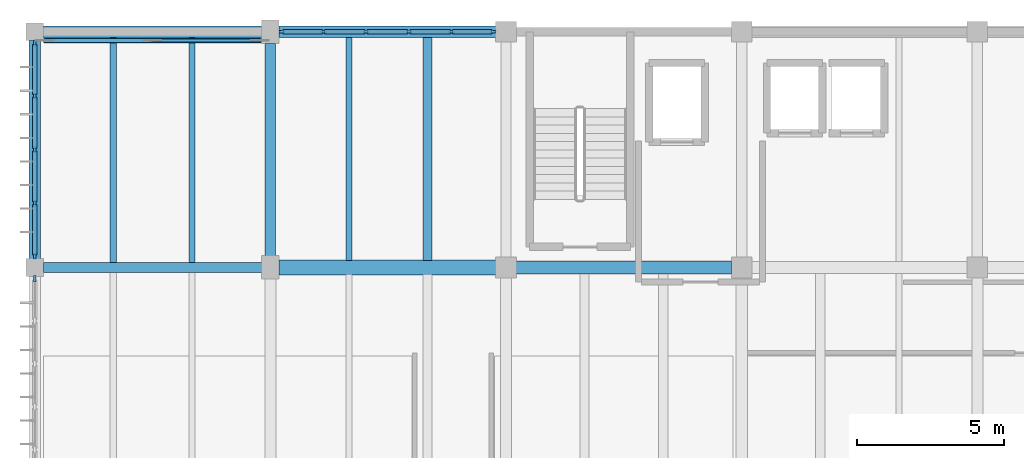
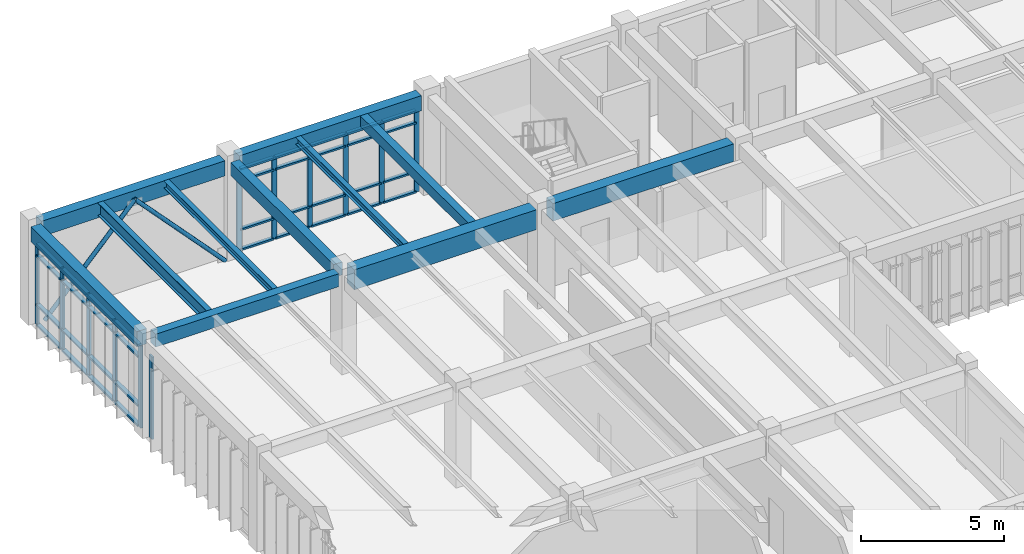
# One storey, part 23 of 72: 50 members, 11 beams, 3 elements without a shape of their own.
"""IFC4 building model written with IfcOpenShell, lengths in metres."""

import ifcopenshell
import ifcopenshell.guid

model = None  # the IFC model being written
_history = None  # IfcOwnerHistory: only IFC2X3 demands one
_inside = {}  # id of a spatial element -> (the spatial element, [elements in it])
_under = {}  # id of a project, library or spatial element -> (it, [spatial elements below it])
_declared = {}  # id of a project -> (the project, [libraries it declares])
_typed = {}  # id of a type object -> (the type object, [elements of that type])
_made_of = {}  # id of a material, layer set ... -> (it, [elements and type objects made of it])


def new_model(schema):
    """Start an empty IFC model of exactly this schema.

    Asked for "IFC4X3", IfcOpenShell would pick the latest addendum, in which some entities
    have other attributes; the version numbers below select the first issue.
    IFC2X3 requires an IfcOwnerHistory on every rooted entity: one is made here for all.
    """
    global model, _history
    if schema == "IFC4X3":
        model = ifcopenshell.file(schema_version=(4, 3, 0, 0))
    else:
        model = ifcopenshell.file(schema=schema)
    _inside.clear()
    _under.clear()
    _declared.clear()
    _typed.clear()
    _made_of.clear()
    _history = None
    if model.schema == "IFC2X3":
        org = make("IfcOrganization", Name="unknown")
        user = make(
            "IfcPersonAndOrganization",
            ThePerson=make("IfcPerson", FamilyName="unknown"),
            TheOrganization=org,
        )
        app = make(
            "IfcApplication",
            ApplicationDeveloper=org,
            Version="unknown",
            ApplicationFullName="unknown",
            ApplicationIdentifier="unknown",
        )
        _history = make(
            "IfcOwnerHistory",
            OwningUser=user,
            OwningApplication=app,
            ChangeAction="ADDED",
            CreationDate=0,
        )
    return model


def make(cls, **values):
    """One entity of the class cls with the attributes given. An attribute that is None is left unset."""
    return model.create_entity(
        cls, **{name: value for name, value in values.items() if value is not None}
    )


def rooted(cls, **values):
    """An entity with a GlobalId (a new one), such as an element, a storey or a relation."""
    return make(cls, GlobalId=ifcopenshell.guid.new(), OwnerHistory=_history, **values)


def si_unit(unit_type, name, prefix=None):
    """IfcSIUnit, for example si_unit("LENGTHUNIT", "METRE", prefix="MILLI")."""
    return make("IfcSIUnit", UnitType=unit_type, Prefix=prefix, Name=name)


def assignment(units):
    """IfcUnitAssignment: the units of a project."""
    return None if units is None else make("IfcUnitAssignment", Units=units)


def point(xyz):
    """IfcCartesianPoint."""
    return None if xyz is None else make("IfcCartesianPoint", Coordinates=xyz)


def direction(xyz):
    """IfcDirection."""
    return None if xyz is None else make("IfcDirection", DirectionRatios=xyz)


def frame(location, z_axis=None, x_axis=None):
    """IfcAxis2Placement3D, a coordinate frame: its origin and axes. An axis left out is left unset."""
    return make(
        "IfcAxis2Placement3D",
        Location=point(location),
        Axis=direction(z_axis),
        RefDirection=direction(x_axis),
    )


def frame_2d(location, x_axis=None):
    """IfcAxis2Placement2D, a coordinate frame in the plane: its origin and x axis."""
    return make(
        "IfcAxis2Placement2D", Location=point(location), RefDirection=direction(x_axis)
    )


def origin():
    """The frame at (0, 0, 0) with its axes left unset."""
    return frame((0.0, 0.0, 0.0))


def origin_2d():
    """The frame at (0, 0) in the plane with its x axis left unset."""
    return frame_2d((0.0, 0.0))


def place(relative_to, where):
    """IfcLocalPlacement: puts the frame where relative to a parent placement (None: the world)."""
    return make(
        "IfcLocalPlacement", PlacementRelTo=relative_to, RelativePlacement=where
    )


def context(
    kind, dimensions, precision=None, world=None, true_north=None, identifier=None
):
    """IfcGeometricRepresentationContext, for example the 3D "Model" context."""
    return make(
        "IfcGeometricRepresentationContext",
        ContextIdentifier=identifier,
        ContextType=kind,
        CoordinateSpaceDimension=dimensions,
        Precision=precision,
        WorldCoordinateSystem=world,
        TrueNorth=true_north,
    )


def subcontext(parent, identifier, kind, view, scale=None):
    """IfcGeometricRepresentationSubContext, for example "Body" below "Model"."""
    return make(
        "IfcGeometricRepresentationSubContext",
        ContextIdentifier=identifier,
        ContextType=kind,
        ParentContext=parent,
        TargetScale=scale,
        TargetView=view,
    )


def project(units=None, contexts=None):
    """IfcProject with its units and contexts."""
    return rooted(
        "IfcProject",
        Name="project",
        RepresentationContexts=contexts,
        UnitsInContext=assignment(units),
    )


def spatial(cls, under=None, at=None, **own):
    """A site, building, storey or space (cls), placed at a placement, below another one or the project."""
    s = rooted(cls, ObjectPlacement=at, **own)
    if under is not None:
        _under.setdefault(under.id(), (under, []))[1].append(s)
    return s


def profile(cls, at=None, kind="AREA", **sizes):
    """A parametric profile (cls). Its sizes go by their IFC names, for example OverallWidth=200.0."""
    return make(cls, ProfileType=kind, Position=at, **sizes)


def rectangle(**sizes):
    """IfcRectangleProfileDef."""
    return profile("IfcRectangleProfileDef", **sizes)


def hollow_circle(**sizes):
    """IfcCircleHollowProfileDef."""
    return profile("IfcCircleHollowProfileDef", **sizes)


def i_section(**sizes):
    """IfcIShapeProfileDef."""
    return profile("IfcIShapeProfileDef", **sizes)


def extrude(swept, where, along, depth):
    """IfcExtrudedAreaSolid: the profile swept, set in the frame where, extruded along a direction by depth."""
    return make(
        "IfcExtrudedAreaSolid",
        SweptArea=swept,
        Position=where,
        ExtrudedDirection=direction(along),
        Depth=depth,
    )


def shape(context_of_items, identifier, shape_type, items):
    """IfcShapeRepresentation: the items that make up one representation, for example the "Body"."""
    return make(
        "IfcShapeRepresentation",
        ContextOfItems=context_of_items,
        RepresentationIdentifier=identifier,
        RepresentationType=shape_type,
        Items=items,
    )


def material(Name=None, Category=None):
    """IfcMaterial."""
    return make("IfcMaterial", Name=Name, Category=Category)


def material_profile(
    of_material, cross_section, Name=None, Category=None, Priority=None
):
    """IfcMaterialProfile: a cross section and its material."""
    return make(
        "IfcMaterialProfile",
        Name=Name,
        Material=of_material,
        Profile=cross_section,
        Priority=Priority,
        Category=Category,
    )


def profile_set(profiles, Name=None, composite=None):
    """IfcMaterialProfileSet."""
    return make(
        "IfcMaterialProfileSet",
        Name=Name,
        MaterialProfiles=profiles,
        CompositeProfile=composite,
    )


def made_of(thing, what):
    """Note that an element or type object is made of a material, layer set ...; save() writes the relation."""
    if what is not None:
        _made_of.setdefault(what.id(), (what, []))[1].append(thing)
    return thing


def type_object(cls, material=None, **own):
    """A type object (cls), such as IfcWallType, which elements share."""
    return made_of(rooted(cls, **own), material)


def element(
    cls,
    number,
    at=None,
    inside=None,
    cuts=None,
    type_object=None,
    material=None,
    context=None,
    identifier="Body",
    shape_type=None,
    held_by="IfcProductDefinitionShape",
    body=None,
    shapes=None,
    **own,
):
    """One element of the class cls, such as IfcWall. Its Tag is "e" and its number.

    at: its placement. inside: the storey or other place that contains it. cuts: it is an
    opening in that element (IfcRelVoidsElement). A single representation is given by context,
    identifier, shape_type and body (its items); several are given by shapes. held_by: the class
    of the entity that holds the representations. save() writes the other relations.
    """
    e = rooted(cls, Tag="e%d" % number, ObjectPlacement=at, **own)
    if body is not None:
        shapes = [shape(context, identifier, shape_type, body)]
    if shapes is not None:
        e.Representation = make(held_by, Representations=shapes)
    if inside is not None:
        _inside.setdefault(inside.id(), (inside, []))[1].append(e)
    if cuts is not None:
        rooted(
            "IfcRelVoidsElement", RelatingBuildingElement=cuts, RelatedOpeningElement=e
        )
    if type_object is not None:
        _typed.setdefault(type_object.id(), (type_object, []))[1].append(e)
    return made_of(e, material)


def aggregate(whole, parts):
    """IfcRelAggregates: a whole, such as a stair, and the parts it consists of."""
    return rooted("IfcRelAggregates", RelatingObject=whole, RelatedObjects=parts)


def save(model, path):
    """Write the relations noted so far, then the file.

    IfcRelAggregates (storeys below a building ...), IfcRelContainedInSpatialStructure (elements
    in a storey), IfcRelDefinesByType, IfcRelAssociatesMaterial and IfcRelDeclares: one each for
    every whole, place, type object, material and project.
    """
    for whole, parts in _under.values():
        aggregate(whole, parts)
    for where, things in _inside.values():
        rooted(
            "IfcRelContainedInSpatialStructure",
            RelatedElements=things,
            RelatingStructure=where,
        )
    for kind, things in _typed.values():
        rooted("IfcRelDefinesByType", RelatedObjects=things, RelatingType=kind)
    for what, things in _made_of.values():
        rooted("IfcRelAssociatesMaterial", RelatedObjects=things, RelatingMaterial=what)
    for by, libraries in _declared.values():
        rooted("IfcRelDeclares", RelatingContext=by, RelatedDefinitions=libraries)
    model.write(path)


model = new_model("IFC4")

# Units and contexts
model_context = context("Model", 3, precision=1e-05, world=origin(), true_north=direction((0.0, 1.0)))
body_context = subcontext(model_context, "Body", "Model", "MODEL_VIEW")
ifc_project = project(units=[si_unit("LENGTHUNIT", "METRE"), si_unit("AREAUNIT", "SQUARE_METRE"), si_unit("VOLUMEUNIT", "CUBIC_METRE"), si_unit("PLANEANGLEUNIT", "RADIAN"), si_unit("MASSUNIT", "GRAM", prefix="KILO")], contexts=[model_context])

# Site, building, storey
site_placement = place(None, origin())
site = spatial("IfcSite", under=ifc_project, at=site_placement, CompositionType="ELEMENT")
building_placement = place(site_placement, origin())
building = spatial("IfcBuilding", under=site, at=building_placement, Name="Tlaxcora Railside Police Headquarters", CompositionType="ELEMENT")
storey_placement = place(building_placement, frame((0.0, 0.0, 13.5)))
storey = spatial("IfcBuildingStorey", under=building, at=storey_placement, Name="L03", CompositionType="ELEMENT", Elevation=13.5)

# Curtain wall, member
ifc_material_1 = material(Name="Thermally broken low-E insulated glazing", Category="glass")
curtain_wall_type_1 = type_object("IfcCurtainWallType", Name="Unitised Curtain Wall Assembly CW-23", PredefinedType="NOTDEFINED", material=ifc_material_1)
curtain_wall_1_placement = place(storey_placement, origin())
curtain_wall_1 = element("IfcCurtainWall", 1, at=curtain_wall_1_placement, inside=storey, type_object=curtain_wall_type_1, Name="V5 L03 curtain wall 84", PredefinedType="NOTDEFINED")
ifc_material_2 = material(Name="Anodised aluminium framing", Category="aluminium")
ifc_material_profile_1 = material_profile(ifc_material_2, rectangle(XDim=0.080078125, YDim=0.219970703125, at=origin_2d()), Name="AL80X220")
ifc_profile_set_1 = profile_set([ifc_material_profile_1], Name="Anodised aluminium framing")
member_type_1 = type_object("IfcMemberType", Name="Curtain Wall Mullion CW-31", PredefinedType="MULLION", material=ifc_profile_set_1)
member_1_placement = place(storey_placement, frame((5.199951171875, 84.409912109375, 0.0), z_axis=(0.0, 0.0, 1.0), x_axis=(1.0, 0.0, 0.0)))
member_1 = element("IfcMember", 2, at=member_1_placement, type_object=member_type_1, Name="CW mullion 1", PredefinedType="MULLION", context=body_context, shape_type="SweptSolid", body=[
    extrude(rectangle(XDim=0.080078125, YDim=0.219970703125, at=origin_2d()), origin(), (0.0, 0.0, 1.0), 3.52001953125),
])
aggregate(curtain_wall_1, [member_1])

# Curtain wall, members
curtain_wall_type_2 = type_object("IfcCurtainWallType", Name="Unitised Curtain Wall Assembly CW-15", PredefinedType="NOTDEFINED", material=ifc_material_1)
curtain_wall_2_placement = place(storey_placement, origin())
curtain_wall_2 = element("IfcCurtainWall", 3, at=curtain_wall_2_placement, inside=storey, type_object=curtain_wall_type_2, Name="V5 L03 curtain wall 82", PredefinedType="NOTDEFINED")
ifc_material_profile_2 = material_profile(ifc_material_2, rectangle(XDim=0.074951171875, YDim=0.199951171875, at=origin_2d()), Name="AL75X200")
ifc_profile_set_2 = profile_set([ifc_material_profile_2], Name="Anodised aluminium framing")
member_type_2 = type_object("IfcMemberType", Name="Curtain Wall Mullion CW-58", PredefinedType="MULLION", material=ifc_profile_set_2)
member_2_placement = place(storey_placement, frame((20.762451171875, 92.800048828125, 0.0), z_axis=(0.0, 0.0, 1.0), x_axis=(0.0, -1.0, 0.0)))
member_2 = element("IfcMember", 4, at=member_2_placement, type_object=member_type_2, Name="CW mullion 1", PredefinedType="MULLION", context=body_context, shape_type="SweptSolid", body=[
    extrude(rectangle(XDim=0.074951171875, YDim=0.199951171875, at=origin_2d()), origin(), (0.0, 0.0, 1.0), 3.52001953125),
])
member_3_placement = place(storey_placement, frame((19.35009765625, 92.800048828125, 0.0), z_axis=(0.0, 0.0, 1.0), x_axis=(0.0, -1.0, 0.0)))
member_3 = element("IfcMember", 5, at=member_3_placement, type_object=member_type_2, Name="CW mullion 2", PredefinedType="MULLION", context=body_context, shape_type="SweptSolid", body=[
    extrude(rectangle(XDim=0.074951171875, YDim=0.199951171875, at=origin_2d()), origin(), (0.0, 0.0, 1.0), 3.52001953125),
])
member_4_placement = place(storey_placement, frame((17.89990234375, 92.800048828125, 0.0), z_axis=(0.0, 0.0, 1.0), x_axis=(0.0, -1.0, 0.0)))
member_4 = element("IfcMember", 6, at=member_4_placement, type_object=member_type_2, Name="CW mullion 3", PredefinedType="MULLION", context=body_context, shape_type="SweptSolid", body=[
    extrude(rectangle(XDim=0.074951171875, YDim=0.199951171875, at=origin_2d()), origin(), (0.0, 0.0, 1.0), 3.52001953125),
])
member_5_placement = place(storey_placement, frame((16.449951171875, 92.800048828125, 0.0), z_axis=(0.0, 0.0, 1.0), x_axis=(0.0, -1.0, 0.0)))
member_5 = element("IfcMember", 7, at=member_5_placement, type_object=member_type_2, Name="CW mullion 4", PredefinedType="MULLION", context=body_context, shape_type="SweptSolid", body=[
    extrude(rectangle(XDim=0.074951171875, YDim=0.199951171875, at=origin_2d()), origin(), (0.0, 0.0, 1.0), 3.52001953125),
])
member_6_placement = place(storey_placement, frame((15.0, 92.800048828125, 0.0), z_axis=(0.0, 0.0, 1.0), x_axis=(0.0, -1.0, 0.0)))
member_6 = element("IfcMember", 8, at=member_6_placement, type_object=member_type_2, Name="CW mullion 5", PredefinedType="MULLION", context=body_context, shape_type="SweptSolid", body=[
    extrude(rectangle(XDim=0.074951171875, YDim=0.199951171875, at=origin_2d()), origin(), (0.0, 0.0, 1.0), 3.52001953125),
])
member_7_placement = place(storey_placement, frame((13.58740234375, 92.800048828125, 0.0), z_axis=(0.0, 0.0, 1.0), x_axis=(0.0, -1.0, 0.0)))
member_7 = element("IfcMember", 9, at=member_7_placement, type_object=member_type_2, Name="CW mullion 6", PredefinedType="MULLION", context=body_context, shape_type="SweptSolid", body=[
    extrude(rectangle(XDim=0.074951171875, YDim=0.199951171875, at=origin_2d()), origin(), (0.0, 0.0, 1.0), 3.52001953125),
])

curtain_wall_type_3 = type_object("IfcCurtainWallType", Name="Unitised Curtain Wall Assembly CW-83", PredefinedType="NOTDEFINED", material=ifc_material_1)
curtain_wall_3_placement = place(storey_placement, origin())
curtain_wall_3 = element("IfcCurtainWall", 10, at=curtain_wall_3_placement, inside=storey, type_object=curtain_wall_type_3, Name="V5 L03 curtain wall 83", PredefinedType="NOTDEFINED")
ifc_material_profile_3 = material_profile(ifc_material_2, rectangle(XDim=0.080078125, YDim=0.2099609375, at=origin_2d()), Name="AL80X210")
ifc_profile_set_3 = profile_set([ifc_material_profile_3], Name="Anodised aluminium framing")
member_type_3 = type_object("IfcMemberType", Name="Curtain Wall Mullion CW-76", PredefinedType="MULLION", material=ifc_profile_set_3)
member_8_placement = place(storey_placement, frame((5.199951171875, 92.409912109375, 0.0), z_axis=(0.0, 0.0, 1.0), x_axis=(1.0, 0.0, 0.0)))
member_8 = element("IfcMember", 11, at=member_8_placement, type_object=member_type_3, Name="CW mullion 1", PredefinedType="MULLION", context=body_context, shape_type="SweptSolid", body=[
    extrude(rectangle(XDim=0.080078125, YDim=0.2099609375, at=origin_2d()), origin(), (0.0, 0.0, 1.0), 3.52001953125),
])
member_9_placement = place(storey_placement, frame((5.199951171875, 90.625, 0.0), z_axis=(0.0, 0.0, 1.0), x_axis=(1.0, 0.0, 0.0)))
member_9 = element("IfcMember", 12, at=member_9_placement, type_object=member_type_3, Name="CW mullion 2", PredefinedType="MULLION", context=body_context, shape_type="SweptSolid", body=[
    extrude(rectangle(XDim=0.080078125, YDim=0.2099609375, at=origin_2d()), origin(), (0.0, 0.0, 1.0), 3.52001953125),
])
member_10_placement = place(storey_placement, frame((5.199951171875, 88.800048828125, 0.0), z_axis=(0.0, 0.0, 1.0), x_axis=(1.0, 0.0, 0.0)))
member_10 = element("IfcMember", 13, at=member_10_placement, type_object=member_type_3, Name="CW mullion 3", PredefinedType="MULLION", context=body_context, shape_type="SweptSolid", body=[
    extrude(rectangle(XDim=0.080078125, YDim=0.2099609375, at=origin_2d()), origin(), (0.0, 0.0, 1.0), 3.52001953125),
])
member_11_placement = place(storey_placement, frame((5.199951171875, 86.97509765625, 0.0), z_axis=(0.0, 0.0, 1.0), x_axis=(1.0, 0.0, 0.0)))
member_11 = element("IfcMember", 14, at=member_11_placement, type_object=member_type_3, Name="CW mullion 4", PredefinedType="MULLION", context=body_context, shape_type="SweptSolid", body=[
    extrude(rectangle(XDim=0.080078125, YDim=0.2099609375, at=origin_2d()), origin(), (0.0, 0.0, 1.0), 3.52001953125),
])
member_12_placement = place(storey_placement, frame((5.199951171875, 85.18994140625, 0.0), z_axis=(0.0, 0.0, 1.0), x_axis=(1.0, 0.0, 0.0)))
member_12 = element("IfcMember", 15, at=member_12_placement, type_object=member_type_3, Name="CW mullion 5", PredefinedType="MULLION", context=body_context, shape_type="SweptSolid", body=[
    extrude(rectangle(XDim=0.080078125, YDim=0.2099609375, at=origin_2d()), origin(), (0.0, 0.0, 1.0), 3.52001953125),
])

# Member
ifc_material_profile_4 = material_profile(ifc_material_2, rectangle(XDim=0.14990234375, YDim=0.074951171875, at=origin_2d()), Name="AL75X150")
ifc_profile_set_4 = profile_set([ifc_material_profile_4], Name="Anodised aluminium framing")
member_type_4 = type_object("IfcMemberType", Name="Curtain Wall Transom CW-28", PredefinedType="USERDEFINED", material=ifc_profile_set_4)
member_13_placement = place(storey_placement, frame((20.72509765625, 92.800048828125, 0.03759765625), z_axis=(-1.0, 0.0, 0.0), x_axis=(0.0, -1.0, 0.0)))
member_13 = element("IfcMember", 16, at=member_13_placement, type_object=member_type_4, Name="CW transom 1.1", ObjectType="TRANSOM", PredefinedType="USERDEFINED", context=body_context, shape_type="SweptSolid", body=[
    extrude(rectangle(XDim=0.14990234375, YDim=0.074951171875, at=origin_2d()), origin(), (0.0, 0.0, 1.0), 1.337646484375),
])

member_14_placement = place(storey_placement, frame((20.72509765625, 92.800048828125, 0.89990234375), z_axis=(-1.0, 0.0, 0.0), x_axis=(0.0, -1.0, 0.0)))
member_14 = element("IfcMember", 17, at=member_14_placement, type_object=member_type_4, Name="CW transom 1.2", ObjectType="TRANSOM", PredefinedType="USERDEFINED", context=body_context, shape_type="SweptSolid", body=[
    extrude(rectangle(XDim=0.14990234375, YDim=0.074951171875, at=origin_2d()), origin(), (0.0, 0.0, 1.0), 1.337646484375),
])

member_15_placement = place(storey_placement, frame((20.72509765625, 92.800048828125, 2.989990234375), z_axis=(-1.0, 0.0, 0.0), x_axis=(0.0, -1.0, 0.0)))
member_15 = element("IfcMember", 18, at=member_15_placement, type_object=member_type_4, Name="CW transom 1.3", ObjectType="TRANSOM", PredefinedType="USERDEFINED", context=body_context, shape_type="SweptSolid", body=[
    extrude(rectangle(XDim=0.14990234375, YDim=0.074951171875, at=origin_2d()), origin(), (0.0, 0.0, 1.0), 1.337646484375),
])

member_16_placement = place(storey_placement, frame((20.72509765625, 92.800048828125, 3.482421875), z_axis=(-1.0, 0.0, 0.0), x_axis=(0.0, -1.0, 0.0)))
member_16 = element("IfcMember", 19, at=member_16_placement, type_object=member_type_4, Name="CW transom 1.4", ObjectType="TRANSOM", PredefinedType="USERDEFINED", context=body_context, shape_type="SweptSolid", body=[
    extrude(rectangle(XDim=0.14990234375, YDim=0.074951171875, at=origin_2d()), origin(), (0.0, 0.0, 1.0), 1.337646484375),
])

member_17_placement = place(storey_placement, frame((19.3125, 92.800048828125, 0.03759765625), z_axis=(-1.0, 0.0, 0.0), x_axis=(0.0, -1.0, 0.0)))
member_17 = element("IfcMember", 20, at=member_17_placement, type_object=member_type_4, Name="CW transom 2.1", ObjectType="TRANSOM", PredefinedType="USERDEFINED", context=body_context, shape_type="SweptSolid", body=[
    extrude(rectangle(XDim=0.14990234375, YDim=0.074951171875, at=origin_2d()), origin(), (0.0, 0.0, 1.0), 1.375),
])

member_18_placement = place(storey_placement, frame((19.3125, 92.800048828125, 0.89990234375), z_axis=(-1.0, 0.0, 0.0), x_axis=(0.0, -1.0, 0.0)))
member_18 = element("IfcMember", 21, at=member_18_placement, type_object=member_type_4, Name="CW transom 2.2", ObjectType="TRANSOM", PredefinedType="USERDEFINED", context=body_context, shape_type="SweptSolid", body=[
    extrude(rectangle(XDim=0.14990234375, YDim=0.074951171875, at=origin_2d()), origin(), (0.0, 0.0, 1.0), 1.375),
])

member_19_placement = place(storey_placement, frame((19.3125, 92.800048828125, 2.989990234375), z_axis=(-1.0, 0.0, 0.0), x_axis=(0.0, -1.0, 0.0)))
member_19 = element("IfcMember", 22, at=member_19_placement, type_object=member_type_4, Name="CW transom 2.3", ObjectType="TRANSOM", PredefinedType="USERDEFINED", context=body_context, shape_type="SweptSolid", body=[
    extrude(rectangle(XDim=0.14990234375, YDim=0.074951171875, at=origin_2d()), origin(), (0.0, 0.0, 1.0), 1.375),
])

member_20_placement = place(storey_placement, frame((19.3125, 92.800048828125, 3.482421875), z_axis=(-1.0, 0.0, 0.0), x_axis=(0.0, -1.0, 0.0)))
member_20 = element("IfcMember", 23, at=member_20_placement, type_object=member_type_4, Name="CW transom 2.4", ObjectType="TRANSOM", PredefinedType="USERDEFINED", context=body_context, shape_type="SweptSolid", body=[
    extrude(rectangle(XDim=0.14990234375, YDim=0.074951171875, at=origin_2d()), origin(), (0.0, 0.0, 1.0), 1.375),
])

member_21_placement = place(storey_placement, frame((17.862548828125, 92.800048828125, 0.03759765625), z_axis=(-1.0, 0.0, 0.0), x_axis=(0.0, -1.0, 0.0)))
member_21 = element("IfcMember", 24, at=member_21_placement, type_object=member_type_4, Name="CW transom 3.1", ObjectType="TRANSOM", PredefinedType="USERDEFINED", context=body_context, shape_type="SweptSolid", body=[
    extrude(rectangle(XDim=0.14990234375, YDim=0.074951171875, at=origin_2d()), origin(), (0.0, 0.0, 1.0), 1.375),
])

member_22_placement = place(storey_placement, frame((17.862548828125, 92.800048828125, 0.89990234375), z_axis=(-1.0, 0.0, 0.0), x_axis=(0.0, -1.0, 0.0)))
member_22 = element("IfcMember", 25, at=member_22_placement, type_object=member_type_4, Name="CW transom 3.2", ObjectType="TRANSOM", PredefinedType="USERDEFINED", context=body_context, shape_type="SweptSolid", body=[
    extrude(rectangle(XDim=0.14990234375, YDim=0.074951171875, at=origin_2d()), origin(), (0.0, 0.0, 1.0), 1.375),
])

member_23_placement = place(storey_placement, frame((17.862548828125, 92.800048828125, 2.989990234375), z_axis=(-1.0, 0.0, 0.0), x_axis=(0.0, -1.0, 0.0)))
member_23 = element("IfcMember", 26, at=member_23_placement, type_object=member_type_4, Name="CW transom 3.3", ObjectType="TRANSOM", PredefinedType="USERDEFINED", context=body_context, shape_type="SweptSolid", body=[
    extrude(rectangle(XDim=0.14990234375, YDim=0.074951171875, at=origin_2d()), origin(), (0.0, 0.0, 1.0), 1.375),
])

member_24_placement = place(storey_placement, frame((17.862548828125, 92.800048828125, 3.482421875), z_axis=(-1.0, 0.0, 0.0), x_axis=(0.0, -1.0, 0.0)))
member_24 = element("IfcMember", 27, at=member_24_placement, type_object=member_type_4, Name="CW transom 3.4", ObjectType="TRANSOM", PredefinedType="USERDEFINED", context=body_context, shape_type="SweptSolid", body=[
    extrude(rectangle(XDim=0.14990234375, YDim=0.074951171875, at=origin_2d()), origin(), (0.0, 0.0, 1.0), 1.375),
])

member_25_placement = place(storey_placement, frame((16.41259765625, 92.800048828125, 0.03759765625), z_axis=(-1.0, 0.0, 0.0), x_axis=(0.0, -1.0, 0.0)))
member_25 = element("IfcMember", 28, at=member_25_placement, type_object=member_type_4, Name="CW transom 4.1", ObjectType="TRANSOM", PredefinedType="USERDEFINED", context=body_context, shape_type="SweptSolid", body=[
    extrude(rectangle(XDim=0.14990234375, YDim=0.074951171875, at=origin_2d()), origin(), (0.0, 0.0, 1.0), 1.375),
])

member_26_placement = place(storey_placement, frame((16.41259765625, 92.800048828125, 0.89990234375), z_axis=(-1.0, 0.0, 0.0), x_axis=(0.0, -1.0, 0.0)))
member_26 = element("IfcMember", 29, at=member_26_placement, type_object=member_type_4, Name="CW transom 4.2", ObjectType="TRANSOM", PredefinedType="USERDEFINED", context=body_context, shape_type="SweptSolid", body=[
    extrude(rectangle(XDim=0.14990234375, YDim=0.074951171875, at=origin_2d()), origin(), (0.0, 0.0, 1.0), 1.375),
])

member_27_placement = place(storey_placement, frame((16.41259765625, 92.800048828125, 2.989990234375), z_axis=(-1.0, 0.0, 0.0), x_axis=(0.0, -1.0, 0.0)))
member_27 = element("IfcMember", 30, at=member_27_placement, type_object=member_type_4, Name="CW transom 4.3", ObjectType="TRANSOM", PredefinedType="USERDEFINED", context=body_context, shape_type="SweptSolid", body=[
    extrude(rectangle(XDim=0.14990234375, YDim=0.074951171875, at=origin_2d()), origin(), (0.0, 0.0, 1.0), 1.375),
])

member_28_placement = place(storey_placement, frame((16.41259765625, 92.800048828125, 3.482421875), z_axis=(-1.0, 0.0, 0.0), x_axis=(0.0, -1.0, 0.0)))
member_28 = element("IfcMember", 31, at=member_28_placement, type_object=member_type_4, Name="CW transom 4.4", ObjectType="TRANSOM", PredefinedType="USERDEFINED", context=body_context, shape_type="SweptSolid", body=[
    extrude(rectangle(XDim=0.14990234375, YDim=0.074951171875, at=origin_2d()), origin(), (0.0, 0.0, 1.0), 1.375),
])

member_29_placement = place(storey_placement, frame((14.96240234375, 92.800048828125, 0.03759765625), z_axis=(-1.0, 0.0, 0.0), x_axis=(0.0, -1.0, 0.0)))
member_29 = element("IfcMember", 32, at=member_29_placement, type_object=member_type_4, Name="CW transom 5.1", ObjectType="TRANSOM", PredefinedType="USERDEFINED", context=body_context, shape_type="SweptSolid", body=[
    extrude(rectangle(XDim=0.14990234375, YDim=0.074951171875, at=origin_2d()), origin(), (0.0, 0.0, 1.0), 1.33740234375),
])

member_30_placement = place(storey_placement, frame((14.96240234375, 92.800048828125, 0.89990234375), z_axis=(-1.0, 0.0, 0.0), x_axis=(0.0, -1.0, 0.0)))
member_30 = element("IfcMember", 33, at=member_30_placement, type_object=member_type_4, Name="CW transom 5.2", ObjectType="TRANSOM", PredefinedType="USERDEFINED", context=body_context, shape_type="SweptSolid", body=[
    extrude(rectangle(XDim=0.14990234375, YDim=0.074951171875, at=origin_2d()), origin(), (0.0, 0.0, 1.0), 1.33740234375),
])

member_31_placement = place(storey_placement, frame((14.96240234375, 92.800048828125, 2.989990234375), z_axis=(-1.0, 0.0, 0.0), x_axis=(0.0, -1.0, 0.0)))
member_31 = element("IfcMember", 34, at=member_31_placement, type_object=member_type_4, Name="CW transom 5.3", ObjectType="TRANSOM", PredefinedType="USERDEFINED", context=body_context, shape_type="SweptSolid", body=[
    extrude(rectangle(XDim=0.14990234375, YDim=0.074951171875, at=origin_2d()), origin(), (0.0, 0.0, 1.0), 1.33740234375),
])

member_32_placement = place(storey_placement, frame((14.96240234375, 92.800048828125, 3.482421875), z_axis=(-1.0, 0.0, 0.0), x_axis=(0.0, -1.0, 0.0)))
member_32 = element("IfcMember", 35, at=member_32_placement, type_object=member_type_4, Name="CW transom 5.4", ObjectType="TRANSOM", PredefinedType="USERDEFINED", context=body_context, shape_type="SweptSolid", body=[
    extrude(rectangle(XDim=0.14990234375, YDim=0.074951171875, at=origin_2d()), origin(), (0.0, 0.0, 1.0), 1.33740234375),
])

aggregate(curtain_wall_2, [member_2, member_3, member_4, member_5, member_6, member_7, member_13, member_14, member_15, member_16, member_17, member_18, member_19, member_20, member_21, member_22, member_23, member_24, member_25, member_26, member_27, member_28, member_29, member_30, member_31, member_32])

ifc_material_profile_5 = material_profile(ifc_material_2, rectangle(XDim=0.159912109375, YDim=0.080078125, at=origin_2d()), Name="AL80X160")
ifc_profile_set_5 = profile_set([ifc_material_profile_5], Name="Anodised aluminium framing")
member_type_5 = type_object("IfcMemberType", Name="Curtain Wall Transom CW-82", PredefinedType="USERDEFINED", material=ifc_profile_set_5)
member_33_placement = place(storey_placement, frame((5.199951171875, 92.3701171875, 0.0400390625), z_axis=(0.0, -1.0, 0.0), x_axis=(1.0, 0.0, 0.0)))
member_33 = element("IfcMember", 36, at=member_33_placement, type_object=member_type_5, Name="CW transom 1.1", ObjectType="TRANSOM", PredefinedType="USERDEFINED", context=body_context, shape_type="SweptSolid", body=[
    extrude(rectangle(XDim=0.159912109375, YDim=0.080078125, at=origin_2d()), origin(), (0.0, 0.0, 1.0), 1.705078125),
])

member_34_placement = place(storey_placement, frame((5.199951171875, 92.3701171875, 0.89990234375), z_axis=(0.0, -1.0, 0.0), x_axis=(1.0, 0.0, 0.0)))
member_34 = element("IfcMember", 37, at=member_34_placement, type_object=member_type_5, Name="CW transom 1.2", ObjectType="TRANSOM", PredefinedType="USERDEFINED", context=body_context, shape_type="SweptSolid", body=[
    extrude(rectangle(XDim=0.159912109375, YDim=0.080078125, at=origin_2d()), origin(), (0.0, 0.0, 1.0), 1.705078125),
])

member_35_placement = place(storey_placement, frame((5.199951171875, 92.3701171875, 2.989990234375), z_axis=(0.0, -1.0, 0.0), x_axis=(1.0, 0.0, 0.0)))
member_35 = element("IfcMember", 38, at=member_35_placement, type_object=member_type_5, Name="CW transom 1.3", ObjectType="TRANSOM", PredefinedType="USERDEFINED", context=body_context, shape_type="SweptSolid", body=[
    extrude(rectangle(XDim=0.159912109375, YDim=0.080078125, at=origin_2d()), origin(), (0.0, 0.0, 1.0), 1.705078125),
])

member_36_placement = place(storey_placement, frame((5.199951171875, 92.3701171875, 3.47998046875), z_axis=(0.0, -1.0, 0.0), x_axis=(1.0, 0.0, 0.0)))
member_36 = element("IfcMember", 39, at=member_36_placement, type_object=member_type_5, Name="CW transom 1.4", ObjectType="TRANSOM", PredefinedType="USERDEFINED", context=body_context, shape_type="SweptSolid", body=[
    extrude(rectangle(XDim=0.159912109375, YDim=0.080078125, at=origin_2d()), origin(), (0.0, 0.0, 1.0), 1.705078125),
])

member_37_placement = place(storey_placement, frame((5.199951171875, 90.5849609375, 0.0400390625), z_axis=(0.0, -1.0, 0.0), x_axis=(1.0, 0.0, 0.0)))
member_37 = element("IfcMember", 40, at=member_37_placement, type_object=member_type_5, Name="CW transom 2.1", ObjectType="TRANSOM", PredefinedType="USERDEFINED", context=body_context, shape_type="SweptSolid", body=[
    extrude(rectangle(XDim=0.159912109375, YDim=0.080078125, at=origin_2d()), origin(), (0.0, 0.0, 1.0), 1.744873046875),
])

member_38_placement = place(storey_placement, frame((5.199951171875, 90.5849609375, 0.89990234375), z_axis=(0.0, -1.0, 0.0), x_axis=(1.0, 0.0, 0.0)))
member_38 = element("IfcMember", 41, at=member_38_placement, type_object=member_type_5, Name="CW transom 2.2", ObjectType="TRANSOM", PredefinedType="USERDEFINED", context=body_context, shape_type="SweptSolid", body=[
    extrude(rectangle(XDim=0.159912109375, YDim=0.080078125, at=origin_2d()), origin(), (0.0, 0.0, 1.0), 1.744873046875),
])

member_39_placement = place(storey_placement, frame((5.199951171875, 90.5849609375, 2.989990234375), z_axis=(0.0, -1.0, 0.0), x_axis=(1.0, 0.0, 0.0)))
member_39 = element("IfcMember", 42, at=member_39_placement, type_object=member_type_5, Name="CW transom 2.3", ObjectType="TRANSOM", PredefinedType="USERDEFINED", context=body_context, shape_type="SweptSolid", body=[
    extrude(rectangle(XDim=0.159912109375, YDim=0.080078125, at=origin_2d()), origin(), (0.0, 0.0, 1.0), 1.744873046875),
])

member_40_placement = place(storey_placement, frame((5.199951171875, 90.5849609375, 3.47998046875), z_axis=(0.0, -1.0, 0.0), x_axis=(1.0, 0.0, 0.0)))
member_40 = element("IfcMember", 43, at=member_40_placement, type_object=member_type_5, Name="CW transom 2.4", ObjectType="TRANSOM", PredefinedType="USERDEFINED", context=body_context, shape_type="SweptSolid", body=[
    extrude(rectangle(XDim=0.159912109375, YDim=0.080078125, at=origin_2d()), origin(), (0.0, 0.0, 1.0), 1.744873046875),
])

member_41_placement = place(storey_placement, frame((5.199951171875, 88.760009765625, 0.0400390625), z_axis=(0.0, -1.0, 0.0), x_axis=(1.0, 0.0, 0.0)))
member_41 = element("IfcMember", 44, at=member_41_placement, type_object=member_type_5, Name="CW transom 3.1", ObjectType="TRANSOM", PredefinedType="USERDEFINED", context=body_context, shape_type="SweptSolid", body=[
    extrude(rectangle(XDim=0.159912109375, YDim=0.080078125, at=origin_2d()), origin(), (0.0, 0.0, 1.0), 1.7451171875),
])

member_42_placement = place(storey_placement, frame((5.199951171875, 88.760009765625, 0.89990234375), z_axis=(0.0, -1.0, 0.0), x_axis=(1.0, 0.0, 0.0)))
member_42 = element("IfcMember", 45, at=member_42_placement, type_object=member_type_5, Name="CW transom 3.2", ObjectType="TRANSOM", PredefinedType="USERDEFINED", context=body_context, shape_type="SweptSolid", body=[
    extrude(rectangle(XDim=0.159912109375, YDim=0.080078125, at=origin_2d()), origin(), (0.0, 0.0, 1.0), 1.7451171875),
])

member_43_placement = place(storey_placement, frame((5.199951171875, 88.760009765625, 2.989990234375), z_axis=(0.0, -1.0, 0.0), x_axis=(1.0, 0.0, 0.0)))
member_43 = element("IfcMember", 46, at=member_43_placement, type_object=member_type_5, Name="CW transom 3.3", ObjectType="TRANSOM", PredefinedType="USERDEFINED", context=body_context, shape_type="SweptSolid", body=[
    extrude(rectangle(XDim=0.159912109375, YDim=0.080078125, at=origin_2d()), origin(), (0.0, 0.0, 1.0), 1.7451171875),
])

member_44_placement = place(storey_placement, frame((5.199951171875, 88.760009765625, 3.47998046875), z_axis=(0.0, -1.0, 0.0), x_axis=(1.0, 0.0, 0.0)))
member_44 = element("IfcMember", 47, at=member_44_placement, type_object=member_type_5, Name="CW transom 3.4", ObjectType="TRANSOM", PredefinedType="USERDEFINED", context=body_context, shape_type="SweptSolid", body=[
    extrude(rectangle(XDim=0.159912109375, YDim=0.080078125, at=origin_2d()), origin(), (0.0, 0.0, 1.0), 1.7451171875),
])

member_45_placement = place(storey_placement, frame((5.199951171875, 86.93505859375, 0.0400390625), z_axis=(0.0, -1.0, 0.0), x_axis=(1.0, 0.0, 0.0)))
member_45 = element("IfcMember", 48, at=member_45_placement, type_object=member_type_5, Name="CW transom 4.1", ObjectType="TRANSOM", PredefinedType="USERDEFINED", context=body_context, shape_type="SweptSolid", body=[
    extrude(rectangle(XDim=0.159912109375, YDim=0.080078125, at=origin_2d()), origin(), (0.0, 0.0, 1.0), 1.705078125),
])

member_46_placement = place(storey_placement, frame((5.199951171875, 86.93505859375, 0.89990234375), z_axis=(0.0, -1.0, 0.0), x_axis=(1.0, 0.0, 0.0)))
member_46 = element("IfcMember", 49, at=member_46_placement, type_object=member_type_5, Name="CW transom 4.2", ObjectType="TRANSOM", PredefinedType="USERDEFINED", context=body_context, shape_type="SweptSolid", body=[
    extrude(rectangle(XDim=0.159912109375, YDim=0.080078125, at=origin_2d()), origin(), (0.0, 0.0, 1.0), 1.705078125),
])

member_47_placement = place(storey_placement, frame((5.199951171875, 86.93505859375, 2.989990234375), z_axis=(0.0, -1.0, 0.0), x_axis=(1.0, 0.0, 0.0)))
member_47 = element("IfcMember", 50, at=member_47_placement, type_object=member_type_5, Name="CW transom 4.3", ObjectType="TRANSOM", PredefinedType="USERDEFINED", context=body_context, shape_type="SweptSolid", body=[
    extrude(rectangle(XDim=0.159912109375, YDim=0.080078125, at=origin_2d()), origin(), (0.0, 0.0, 1.0), 1.705078125),
])

member_48_placement = place(storey_placement, frame((5.199951171875, 86.93505859375, 3.47998046875), z_axis=(0.0, -1.0, 0.0), x_axis=(1.0, 0.0, 0.0)))
member_48 = element("IfcMember", 51, at=member_48_placement, type_object=member_type_5, Name="CW transom 4.4", ObjectType="TRANSOM", PredefinedType="USERDEFINED", context=body_context, shape_type="SweptSolid", body=[
    extrude(rectangle(XDim=0.159912109375, YDim=0.080078125, at=origin_2d()), origin(), (0.0, 0.0, 1.0), 1.705078125),
])

aggregate(curtain_wall_3, [member_8, member_9, member_10, member_11, member_12, member_33, member_34, member_35, member_36, member_37, member_38, member_39, member_40, member_41, member_42, member_43, member_44, member_45, member_46, member_47, member_48])

# Members
ifc_material_3 = material(Name="Steel ASTM A992 Grade 50", Category="steel")
ifc_material_profile_6 = material_profile(ifc_material_3, hollow_circle(Radius=0.083984375, WallThickness=0.008056640625, at=origin_2d()), Name="CHS168X8")
ifc_profile_set_6 = profile_set([ifc_material_profile_6], Name="Steel ASTM A992 Grade 50")
member_type_6 = type_object("IfcMemberType", Name="Diagonal Brace Member MB-55", PredefinedType="BRACE", material=ifc_profile_set_6)
for number, where, z_axis, x_axis, name in (
    (52, (5.550048828125, 92.5, 0.0), (0.683317517493, 0.0, 0.730121339427), (0.0, 1.0, 0.0), "Chevron brace 3A"),
    (53, (12.85009765625, 92.5, 0.0), (-0.683341881634, 0.0, 0.730098536367), (0.0, -1.0, 0.0), "Chevron brace 3B"),
):
    element("IfcMember", number, at=place(storey_placement, frame(where, z_axis=z_axis, x_axis=x_axis)), inside=storey, type_object=member_type_6, Name=name, PredefinedType="BRACE", context=body_context, shape_type="SweptSolid", body=[
        extrude(hollow_circle(Radius=0.083984375, WallThickness=0.008056640625, at=origin_2d()), origin(), (0.0, 0.0, 1.0), 5.341552734375),
    ])

# Beams
ifc_material_4 = material(Name="Concrete C40/50", Category="concrete")
ifc_material_profile_7 = material_profile(ifc_material_4, rectangle(XDim=0.39990234375, YDim=0.64990234375, at=origin_2d()), Name="RC400X650")
ifc_profile_set_7 = profile_set([ifc_material_profile_7], Name="Concrete C40/50")
beam_type_1 = type_object("IfcBeamType", Name="Perimeter Spandrel Beam BM-46", PredefinedType="SPANDREL", material=ifc_profile_set_7)
beam_1_placement = place(storey_placement, frame((5.489990234375, 92.800048828125, 3.864990234375), z_axis=(1.0, 0.0, 0.0), x_axis=(0.0, 1.0, 0.0)))
element("IfcBeam", 54, at=beam_1_placement, inside=storey, type_object=beam_type_1, Name="V5 L03 X-girder Y=92.8", PredefinedType="SPANDREL", context=body_context, shape_type="SweptSolid", body=[
    extrude(rectangle(XDim=0.39990234375, YDim=0.64990234375, at=origin_2d()), origin(), (0.0, 0.0, 1.0), 7.419921875),
])
beam_2_placement = place(storey_placement, frame((13.489990234375, 92.800048828125, 3.864990234375), z_axis=(1.0, 0.0, 0.0), x_axis=(0.0, 1.0, 0.0)))
element("IfcBeam", 55, at=beam_2_placement, inside=storey, type_object=beam_type_1, Name="V5 L03 X-girder Y=92.8", PredefinedType="SPANDREL", context=body_context, shape_type="SweptSolid", body=[
    extrude(rectangle(XDim=0.39990234375, YDim=0.64990234375, at=origin_2d()), origin(), (0.0, 0.0, 1.0), 7.3701171875),
])
beam_3_placement = place(storey_placement, frame((5.199951171875, 85.090087890625, 3.864990234375), z_axis=(0.0, 1.0, 0.0), x_axis=(-1.0, 0.0, 0.0)))
element("IfcBeam", 56, at=beam_3_placement, inside=storey, type_object=beam_type_1, Name="V5 L03 Y-girder X=5.2", PredefinedType="SPANDREL", context=body_context, shape_type="SweptSolid", body=[
    extrude(rectangle(XDim=0.39990234375, YDim=0.64990234375, at=origin_2d()), origin(), (0.0, 0.0, 1.0), 7.419921875),
])
ifc_material_profile_8 = material_profile(ifc_material_4, rectangle(XDim=0.35009765625, YDim=0.550048828125, at=origin_2d()), Name="RC350X550")
ifc_profile_set_8 = profile_set([ifc_material_profile_8], Name="Concrete C40/50")
beam_type_2 = type_object("IfcBeamType", Name="Primary Frame Girder BM-39", PredefinedType="BEAM", material=ifc_profile_set_8)
beam_4_placement = place(storey_placement, frame((5.489990234375, 84.800048828125, 3.9150390625), z_axis=(1.0, 0.0, 0.0), x_axis=(0.0, 1.0, 0.0)))
element("IfcBeam", 57, at=beam_4_placement, inside=storey, type_object=beam_type_2, Name="V5 L03 X-girder Y=84.8", PredefinedType="BEAM", context=body_context, shape_type="SweptSolid", body=[
    extrude(rectangle(XDim=0.35009765625, YDim=0.550048828125, at=origin_2d()), origin(), (0.0, 0.0, 1.0), 7.419921875),
])
beam_5_placement = place(storey_placement, frame((13.199951171875, 85.18994140625, 3.9150390625), z_axis=(0.0, 1.0, 0.0), x_axis=(-1.0, 0.0, 0.0)))
element("IfcBeam", 58, at=beam_5_placement, inside=storey, type_object=beam_type_2, Name="V5 L03 Y-girder X=13.2", PredefinedType="BEAM", context=body_context, shape_type="SweptSolid", body=[
    extrude(rectangle(XDim=0.35009765625, YDim=0.550048828125, at=origin_2d()), origin(), (0.0, 0.0, 1.0), 7.219970703125),
])
ifc_material_profile_9 = material_profile(ifc_material_4, rectangle(XDim=0.5, YDim=0.85009765625, at=origin_2d()), Name="RC500X850")
ifc_profile_set_9 = profile_set([ifc_material_profile_9], Name="Concrete C40/50")
beam_type_3 = type_object("IfcBeamType", Name="Primary Frame Girder BM-64", PredefinedType="BEAM", material=ifc_profile_set_9)
beam_6_placement = place(storey_placement, frame((13.489990234375, 84.800048828125, 3.764892578125), z_axis=(1.0, 0.0, 0.0), x_axis=(0.0, 1.0, 0.0)))
element("IfcBeam", 59, at=beam_6_placement, inside=storey, type_object=beam_type_3, Name="V5 L03 X-girder Y=84.8", PredefinedType="BEAM", context=body_context, shape_type="SweptSolid", body=[
    extrude(rectangle(XDim=0.5, YDim=0.85009765625, at=origin_2d()), origin(), (0.0, 0.0, 1.0), 7.3701171875),
])
ifc_material_profile_10 = material_profile(ifc_material_4, rectangle(XDim=0.449951171875, YDim=0.75, at=origin_2d()), Name="RC450X750")
ifc_profile_set_10 = profile_set([ifc_material_profile_10], Name="Concrete C40/50")
beam_type_4 = type_object("IfcBeamType", Name="Primary Frame Girder BM-73", PredefinedType="BEAM", material=ifc_profile_set_10)
beam_7_placement = place(storey_placement, frame((21.5400390625, 84.800048828125, 3.81494140625), z_axis=(1.0, 0.0, 0.0), x_axis=(0.0, 1.0, 0.0)))
element("IfcBeam", 60, at=beam_7_placement, inside=storey, type_object=beam_type_4, Name="V5 L03 X-girder Y=84.8", PredefinedType="BEAM", context=body_context, shape_type="SweptSolid", body=[
    extrude(rectangle(XDim=0.449951171875, YDim=0.75, at=origin_2d()), origin(), (0.0, 0.0, 1.0), 7.320068359375),
])
ifc_material_5 = material(Name="Concrete C35/45", Category="concrete")
ifc_material_profile_11 = material_profile(ifc_material_5, rectangle(XDim=0.300048828125, YDim=0.449951171875, at=origin_2d()), Name="RC300X450")
ifc_profile_set_11 = profile_set([ifc_material_profile_11], Name="Concrete C35/45")
beam_type_5 = type_object("IfcBeamType", Name="Secondary Floor Joist BM-27", PredefinedType="JOIST", material=ifc_profile_set_11)
beam_8_placement = place(storey_placement, frame((18.533203125, 85.0419921875, 3.965087890625), z_axis=(0.0, 1.0, 0.0), x_axis=(-1.0, 0.0, 0.0)))
element("IfcBeam", 61, at=beam_8_placement, inside=storey, type_object=beam_type_5, Name="V5 L03 floor joist X=18.53", PredefinedType="JOIST", context=body_context, shape_type="SweptSolid", body=[
    extrude(rectangle(XDim=0.300048828125, YDim=0.449951171875, at=origin_2d()), origin(), (0.0, 0.0, 1.0), 7.56591796875),
])
ifc_material_profile_12 = material_profile(ifc_material_3, i_section(OverallWidth=0.202880859375, OverallDepth=0.302978515625, WebThickness=0.007568359375, FlangeThickness=0.01318359375, at=origin_2d()), Name="W12X40")
ifc_profile_set_12 = profile_set([ifc_material_profile_12], Name="Steel ASTM A992 Grade 50")
beam_type_6 = type_object("IfcBeamType", Name="Secondary Floor Joist BM-96", PredefinedType="JOIST", material=ifc_profile_set_12)
beam_9_placement = place(storey_placement, frame((10.533203125, 84.967041015625, 4.03857421875), z_axis=(0.0, 1.0, 0.0), x_axis=(-1.0, 0.0, 0.0)))
element("IfcBeam", 62, at=beam_9_placement, inside=storey, type_object=beam_type_6, Name="V5 L03 floor joist X=10.53", PredefinedType="JOIST", context=body_context, shape_type="SweptSolid", body=[
    extrude(i_section(OverallWidth=0.202880859375, OverallDepth=0.302978515625, WebThickness=0.007568359375, FlangeThickness=0.01318359375, at=origin_2d()), origin(), (0.0, 0.0, 1.0), 7.640869140625),
])
beam_10_placement = place(storey_placement, frame((15.86669921875, 85.0419921875, 4.03857421875), z_axis=(0.0, 1.0, 0.0), x_axis=(-1.0, 0.0, 0.0)))
element("IfcBeam", 63, at=beam_10_placement, inside=storey, type_object=beam_type_6, Name="V5 L03 floor joist X=15.87", PredefinedType="JOIST", context=body_context, shape_type="SweptSolid", body=[
    extrude(i_section(OverallWidth=0.202880859375, OverallDepth=0.302978515625, WebThickness=0.007568359375, FlangeThickness=0.01318359375, at=origin_2d()), origin(), (0.0, 0.0, 1.0), 7.56591796875),
])
ifc_material_profile_13 = material_profile(ifc_material_3, i_section(OverallWidth=0.214111328125, OverallDepth=0.549072265625, WebThickness=0.0146484375, FlangeThickness=0.023681640625, at=origin_2d()), Name="W21X93")
ifc_profile_set_13 = profile_set([ifc_material_profile_13], Name="Steel ASTM A992 Grade 50")
beam_type_7 = type_object("IfcBeamType", Name="Secondary Floor Joist BM-97", PredefinedType="JOIST", material=ifc_profile_set_13)
beam_11_placement = place(storey_placement, frame((7.86669921875, 84.967041015625, 3.91552734375), z_axis=(0.0, 1.0, 0.0), x_axis=(-1.0, 0.0, 0.0)))
element("IfcBeam", 64, at=beam_11_placement, inside=storey, type_object=beam_type_7, Name="V5 L03 floor joist X=7.87", PredefinedType="JOIST", context=body_context, shape_type="SweptSolid", body=[
    extrude(i_section(OverallWidth=0.214111328125, OverallDepth=0.549072265625, WebThickness=0.0146484375, FlangeThickness=0.023681640625, at=origin_2d()), origin(), (0.0, 0.0, 1.0), 7.640869140625),
])

save(model, "model.ifc")
